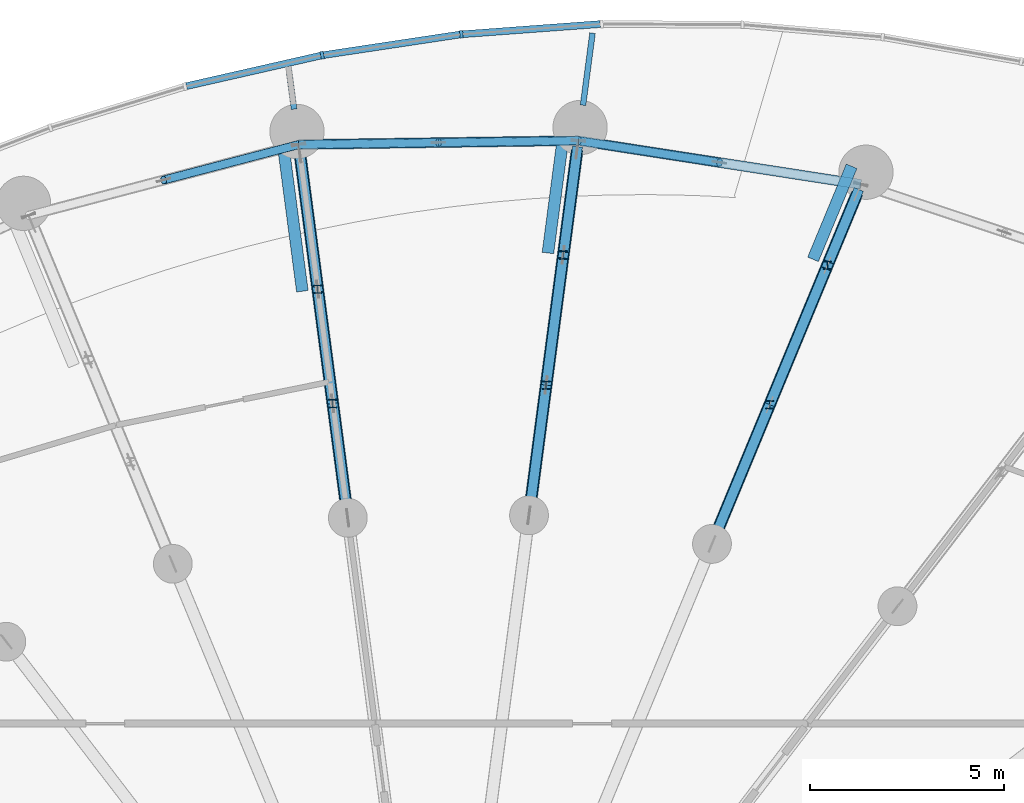
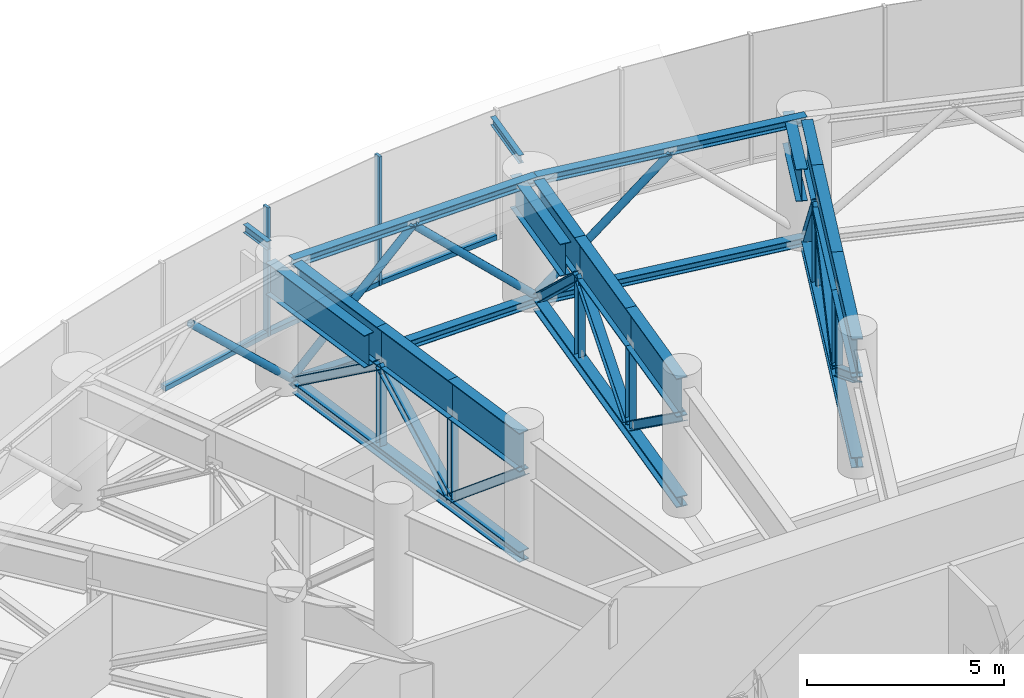
# One storey, part 14 of 42: 31 members, 14 beams, 2 elements without a shape of their own.
"""IFC4 building model written with IfcOpenShell, lengths in metres."""

from ifc_helpers import new_model, si_unit, direction, frame, origin, origin_2d, place, context, subcontext, project, spatial, rectangle, hollow_circle, i_section, extrude, source, transform, mapped, material, layer, layer_set, material_profile, profile_set, type_object, element, aggregate, save


model = new_model("IFC4")

# Units and contexts
model_context = context("Model", 3, precision=1e-05, world=origin(), true_north=direction((0.0, 1.0)))
body_context = subcontext(model_context, "Body", "Model", "MODEL_VIEW")
ifc_project = project(units=[si_unit("LENGTHUNIT", "METRE"), si_unit("AREAUNIT", "SQUARE_METRE"), si_unit("VOLUMEUNIT", "CUBIC_METRE"), si_unit("PLANEANGLEUNIT", "RADIAN"), si_unit("MASSUNIT", "GRAM", prefix="KILO")], contexts=[model_context])

# Site, building, storey
site_placement = place(None, origin())
site = spatial("IfcSite", under=ifc_project, at=site_placement, CompositionType="ELEMENT")
building_placement = place(site_placement, origin())
building = spatial("IfcBuilding", under=site, at=building_placement, Name="Spindrift Exchange Tower", CompositionType="ELEMENT")
storey_placement = place(building_placement, frame((0.0, 0.0, 75.39990234375)))
storey = spatial("IfcBuildingStorey", under=building, at=storey_placement, Name="L17", CompositionType="ELEMENT", Elevation=75.39990234375)

# Beams
ifc_material_1 = material(Name="Steel Grade 300", Category="steel")
ifc_material_profile_1 = material_profile(ifc_material_1, i_section(OverallWidth=0.14599609375, OverallDepth=0.251953125, WebThickness=0.006103515625, FlangeThickness=0.008544921875, FilletRadius=0.011962890625, at=origin_2d()), Name="250UB31.4")
ifc_profile_set_1 = profile_set([ifc_material_profile_1], Name="Steel Grade 300")
beam_type_1 = type_object("IfcBeamType", Name="Cantilever Beam 250UB31.4 Steel Grade 300", PredefinedType="BEAM", material=ifc_profile_set_1)
shared_shape_1 = source(origin(), body_context, "Body", "SweptSolid", [
    extrude(i_section(OverallWidth=0.14599609375, OverallDepth=0.251953125, WebThickness=0.006103515625, FlangeThickness=0.008544921875, FilletRadius=0.011962890625, at=origin_2d()), origin(), (0.0, 0.0, 1.0), 1.876220703125),
])
beam_1_placement = place(storey_placement, frame((55.730712890625, 76.33642578125, 3.8740234375), z_axis=(0.130518469058, 0.991445878117, 0.0), x_axis=(-0.991445878117, 0.130518469058, 0.0)))
element("IfcBeam", 1, at=beam_1_placement, inside=storey, type_object=beam_type_1, Name="L17 cantilever beam R06T", PredefinedType="BEAM", context=body_context, shape_type="MappedRepresentation", body=[
    mapped(shared_shape_1, transform((0.0, 0.0, 0.0), scale=1.0)),
])
shared_shape_2 = source(origin(), body_context, "Body", "SweptSolid", [
    extrude(i_section(OverallWidth=0.14599609375, OverallDepth=0.251953125, WebThickness=0.006103515625, FlangeThickness=0.008544921875, FilletRadius=0.011962890625, at=origin_2d()), origin(), (0.0, 0.0, 1.0), 0.993408203125),
])
beam_2_placement = place(storey_placement, frame((48.28271484375, 76.236328125, 3.8740234375), z_axis=(-0.130505373489, 0.991447601989, 0.0), x_axis=(-0.991447601989, -0.130505373489, 0.0)))
element("IfcBeam", 2, at=beam_2_placement, inside=storey, type_object=beam_type_1, Name="L17 cantilever beam R07T", PredefinedType="BEAM", context=body_context, shape_type="MappedRepresentation", body=[
    mapped(shared_shape_2, transform((0.0, 0.0, 0.0), scale=1.0)),
])

# Members
ifc_material_profile_2 = material_profile(ifc_material_1, i_section(OverallWidth=0.205078125, OverallDepth=0.2099609375, WebThickness=0.00927734375, FlangeThickness=0.01416015625, FilletRadius=0.012939453125, at=origin_2d()), Name="200UC59.5")
ifc_profile_set_2 = profile_set([ifc_material_profile_2], Name="Steel Grade 300")
member_type_1 = type_object("IfcMemberType", Name="Outrigger Truss Post 200UC59.5 Steel Grade 300", PredefinedType="POST", material=ifc_profile_set_2)
shared_shape_3 = source(origin(), body_context, "Body", "SweptSolid", [
    extrude(i_section(OverallWidth=0.205078125, OverallDepth=0.2099609375, WebThickness=0.00927734375, FlangeThickness=0.01416015625, FilletRadius=0.012939453125, at=origin_2d()), origin(), (0.0, 0.0, 1.0), 2.472900390625),
])
for number, where, z_axis, x_axis, name in (
    (3, (60.541748046875, 68.62158203125, 0.3271484375), (0.0, 0.0, 1.0), (1.0, 0.0, 0.0), "L17 outrigger truss 05 post 2"),
    (4, (62.029052734375, 72.212158203125, 0.3271484375), (0.0, 0.0, 1.0), (1.0, 0.0, 0.0), "L17 outrigger truss 05 post 3"),
    (5, (54.78076171875, 69.1220703125, 0.3271484375), (0.0, 0.0, 1.0), (1.0, 0.0, 0.0), "L17 outrigger truss 06 post 2"),
    (6, (55.222412109375, 72.476806640625, 0.3271484375), (0.0, 0.0, 1.0), (1.0, 0.0, 0.0), "L17 outrigger truss 06 post 3"),
    (7, (49.281494140625, 68.6494140625, 0.3271484375), (0.0, 0.0, 1.0), (1.0, 0.0, 0.0), "L17 outrigger truss 07 post 2"),
    (8, (48.8935546875, 71.595458984375, 0.3271484375), (0.0, 0.0, 1.0), (1.0, 0.0, 0.0), "L17 outrigger truss 07 post 3"),
):
    element("IfcMember", number, at=place(storey_placement, frame(where, z_axis=z_axis, x_axis=x_axis)), inside=storey, type_object=member_type_1, Name=name, PredefinedType="POST", context=body_context, shape_type="MappedRepresentation", body=[
        mapped(shared_shape_3, transform((0.0, 0.0, 0.0), scale=1.0)),
    ])

# Beam
ifc_material_profile_3 = material_profile(ifc_material_1, i_section(OverallWidth=0.300048828125, OverallDepth=1.199951171875, WebThickness=0.011962890625, FlangeThickness=0.028076171875, at=origin_2d()), Name="1200WB249")
ifc_profile_set_3 = profile_set([ifc_material_profile_3], Name="Steel Grade 300")
beam_type_2 = type_object("IfcBeamType", Name="Outrigger Truss Transfer Girder 1200WB249 Steel Grade 300", PredefinedType="BEAM", material=ifc_profile_set_3)
shared_shape_4 = source(origin(), body_context, "Body", "SweptSolid", [
    extrude(i_section(OverallWidth=0.300048828125, OverallDepth=1.199951171875, WebThickness=0.011962890625, FlangeThickness=0.028076171875, at=origin_2d()), origin(), (0.0, 0.0, 1.0), 3.885986328125),
])
beam_3_placement = place(storey_placement, frame((59.0546875, 65.03125, 3.400146484375), z_axis=(0.382660661083, 0.923888964356, 0.0), x_axis=(-0.923888964356, 0.382660661083, 0.0)))
element("IfcBeam", 9, at=beam_3_placement, inside=storey, type_object=beam_type_2, Name="L17 outrigger truss 05 top chord 2", PredefinedType="BEAM", context=body_context, shape_type="MappedRepresentation", body=[
    mapped(shared_shape_4, transform((0.0, 0.0, 0.0), scale=1.0)),
])

# Members
ifc_material_profile_4 = material_profile(ifc_material_1, i_section(OverallWidth=0.31103515625, OverallDepth=0.326904296875, WebThickness=0.015625, FlangeThickness=0.02490234375, FilletRadius=0.0166015625, at=origin_2d()), Name="310UC158")
ifc_profile_set_4 = profile_set([ifc_material_profile_4], Name="Steel Grade 300")
member_type_2 = type_object("IfcMemberType", Name="Outrigger Truss Chord 310UC158 Steel Grade 300", PredefinedType="CHORD", material=ifc_profile_set_4)
shared_shape_5 = source(origin(), body_context, "Body", "SweptSolid", [
    extrude(i_section(OverallWidth=0.31103515625, OverallDepth=0.326904296875, WebThickness=0.015625, FlangeThickness=0.02490234375, FilletRadius=0.0166015625, at=origin_2d()), origin(), (0.0, 0.0, 1.0), 9.789306640625),
])
member_1_placement = place(storey_placement, frame((59.0546875, 65.03125, 0.16357421875), z_axis=(0.382671907056, 0.923884306366, 0.0), x_axis=(-0.923884306366, 0.382671907056, 0.0)))
element("IfcMember", 10, at=member_1_placement, inside=storey, type_object=member_type_2, Name="L17 outrigger truss 05 bottom chord 2", PredefinedType="CHORD", context=body_context, shape_type="MappedRepresentation", body=[
    mapped(shared_shape_5, transform((0.0, 0.0, 0.0), scale=1.0)),
])
ifc_material_profile_5 = material_profile(ifc_material_1, i_section(OverallWidth=0.256103515625, OverallDepth=0.260009765625, WebThickness=0.010498046875, FlangeThickness=0.017333984375, FilletRadius=0.011962890625, at=origin_2d()), Name="250UC89.5")
ifc_profile_set_5 = profile_set([ifc_material_profile_5], Name="Steel Grade 300")
member_type_3 = type_object("IfcMemberType", Name="Outrigger Truss Diagonal 250UC89.5 Steel Grade 300", PredefinedType="BRACE", material=ifc_profile_set_5)
shared_shape_6 = source(origin(), body_context, "Body", "SweptSolid", [
    extrude(i_section(OverallWidth=0.256103515625, OverallDepth=0.260009765625, WebThickness=0.010498046875, FlangeThickness=0.017333984375, FilletRadius=0.011962890625, at=origin_2d()), origin(), (0.0, 0.0, 1.0), 4.606201171875),
])
member_2_placement = place(storey_placement, frame((59.0546875, 65.03125, 2.800048828125), z_axis=(0.322838969201, 0.77945655575, -0.536863555909), x_axis=(-0.923888964356, 0.382660661083, 0.0)))
element("IfcMember", 11, at=member_2_placement, inside=storey, type_object=member_type_3, Name="L17 outrigger truss 05 diagonal 2", PredefinedType="BRACE", context=body_context, shape_type="MappedRepresentation", body=[
    mapped(shared_shape_6, transform((0.0, 0.0, 0.0), scale=1.0)),
])

# Beam
shared_shape_7 = source(origin(), body_context, "Body", "SweptSolid", [
    extrude(i_section(OverallWidth=0.300048828125, OverallDepth=1.199951171875, WebThickness=0.011962890625, FlangeThickness=0.028076171875, at=origin_2d()), origin(), (0.0, 0.0, 1.0), 3.886474609375),
])
beam_4_placement = place(storey_placement, frame((60.541748046875, 68.62158203125, 3.400146484375), z_axis=(0.382692072447, 0.923875953625, 0.0), x_axis=(-0.923875953625, 0.382692072447, 0.0)))
element("IfcBeam", 12, at=beam_4_placement, inside=storey, type_object=beam_type_2, Name="L17 outrigger truss 05 top chord 3", PredefinedType="BEAM", context=body_context, shape_type="MappedRepresentation", body=[
    mapped(shared_shape_7, transform((0.0, 0.0, 0.0), scale=1.0)),
])

# Member
shared_shape_8 = source(origin(), body_context, "Body", "SweptSolid", [
    extrude(i_section(OverallWidth=0.256103515625, OverallDepth=0.260009765625, WebThickness=0.010498046875, FlangeThickness=0.017333984375, FilletRadius=0.011962890625, at=origin_2d()), origin(), (0.0, 0.0, 1.0), 4.6064453125),
])
member_3_placement = place(storey_placement, frame((60.541748046875, 68.62158203125, 0.3271484375), z_axis=(0.32287310775, 0.779464017676, 0.536832191136), x_axis=(-0.923875953625, 0.382692072447, 0.0)))
element("IfcMember", 13, at=member_3_placement, inside=storey, type_object=member_type_3, Name="L17 outrigger truss 05 diagonal 3", PredefinedType="BRACE", context=body_context, shape_type="MappedRepresentation", body=[
    mapped(shared_shape_8, transform((0.0, 0.0, 0.0), scale=1.0)),
])

# Beam
shared_shape_9 = source(origin(), body_context, "Body", "SweptSolid", [
    extrude(i_section(OverallWidth=0.300048828125, OverallDepth=1.199951171875, WebThickness=0.011962890625, FlangeThickness=0.028076171875, at=origin_2d()), origin(), (0.0, 0.0, 1.0), 2.016845703125),
])
beam_5_placement = place(storey_placement, frame((62.029052734375, 72.212158203125, 3.400146484375), z_axis=(0.382654716814, 0.923891426359, 0.0), x_axis=(-0.923891426359, 0.382654716814, 0.0)))
element("IfcBeam", 14, at=beam_5_placement, inside=storey, type_object=beam_type_2, Name="L17 outrigger truss 05 top chord 4", PredefinedType="BEAM", context=body_context, shape_type="MappedRepresentation", body=[
    mapped(shared_shape_9, transform((0.0, 0.0, 0.0), scale=1.0)),
])

# Member
shared_shape_10 = source(origin(), body_context, "Body", "SweptSolid", [
    extrude(i_section(OverallWidth=0.256103515625, OverallDepth=0.260009765625, WebThickness=0.010498046875, FlangeThickness=0.017333984375, FilletRadius=0.011962890625, at=origin_2d()), origin(), (0.0, 0.0, 1.0), 3.19091796875),
])
member_4_placement = place(storey_placement, frame((62.029052734375, 72.212158203125, 2.800048828125), z_axis=(0.241843721155, 0.58391372346, -0.774955726537), x_axis=(-0.923891426359, 0.382654716814, 0.0)))
element("IfcMember", 15, at=member_4_placement, inside=storey, type_object=member_type_3, Name="L17 outrigger truss 05 diagonal 4", PredefinedType="BRACE", context=body_context, shape_type="MappedRepresentation", body=[
    mapped(shared_shape_10, transform((0.0, 0.0, 0.0), scale=1.0)),
])

# Beams
shared_shape_11 = source(origin(), body_context, "Body", "SweptSolid", [
    extrude(i_section(OverallWidth=0.300048828125, OverallDepth=1.199951171875, WebThickness=0.011962890625, FlangeThickness=0.028076171875, at=origin_2d()), origin(), (0.0, 0.0, 1.0), 3.3837890625),
])
for number, where, z_axis, x_axis, name in (
    (16, (54.339111328125, 65.767333984375, 3.400146484375), (0.13052357024, 0.991445206561, 0.0), (-0.991445206561, 0.13052357024, 0.0), "L17 outrigger truss 06 top chord 2"),
    (17, (54.78076171875, 69.1220703125, 3.400146484375), (0.13052357024, 0.991445206561, 0.0), (-0.991445206561, 0.13052357024, 0.0), "L17 outrigger truss 06 top chord 3"),
):
    element("IfcBeam", number, at=place(storey_placement, frame(where, z_axis=z_axis, x_axis=x_axis)), inside=storey, type_object=beam_type_2, Name=name, PredefinedType="BEAM", context=body_context, shape_type="MappedRepresentation", body=[
        mapped(shared_shape_11, transform((0.0, 0.0, 0.0), scale=1.0)),
    ])

# Members
shared_shape_12 = source(origin(), body_context, "Body", "SweptSolid", [
    extrude(i_section(OverallWidth=0.31103515625, OverallDepth=0.326904296875, WebThickness=0.015625, FlangeThickness=0.02490234375, FilletRadius=0.0166015625, at=origin_2d()), origin(), (0.0, 0.0, 1.0), 9.500244140625),
])
member_5_placement = place(storey_placement, frame((54.339111328125, 65.767333984375, 0.16357421875), z_axis=(0.130522318331, 0.991445371373, 0.0), x_axis=(-0.991445371373, 0.130522318331, 0.0)))
element("IfcMember", 18, at=member_5_placement, inside=storey, type_object=member_type_2, Name="L17 outrigger truss 06 bottom chord 2", PredefinedType="CHORD", context=body_context, shape_type="MappedRepresentation", body=[
    mapped(shared_shape_12, transform((0.0, 0.0, 0.0), scale=1.0)),
])
shared_shape_13 = source(origin(), body_context, "Body", "SweptSolid", [
    extrude(i_section(OverallWidth=0.256103515625, OverallDepth=0.260009765625, WebThickness=0.010498046875, FlangeThickness=0.017333984375, FilletRadius=0.011962890625, at=origin_2d()), origin(), (0.0, 0.0, 1.0), 4.19091796875),
])
for number, where, z_axis, x_axis, name in (
    (19, (54.339111328125, 65.767333984375, 2.800048828125), (0.105380471924, 0.800460511167, -0.590049087957), (-0.991445206561, 0.13052357024, 0.0), "L17 outrigger truss 06 diagonal 2"),
    (20, (54.78076171875, 69.1220703125, 0.3271484375), (0.105380471924, 0.800460511167, 0.590049087957), (-0.991445206561, 0.13052357024, 0.0), "L17 outrigger truss 06 diagonal 3"),
):
    element("IfcMember", number, at=place(storey_placement, frame(where, z_axis=z_axis, x_axis=x_axis)), inside=storey, type_object=member_type_3, Name=name, PredefinedType="BRACE", context=body_context, shape_type="MappedRepresentation", body=[
        mapped(shared_shape_13, transform((0.0, 0.0, 0.0), scale=1.0)),
    ])

# Beam
shared_shape_14 = source(origin(), body_context, "Body", "SweptSolid", [
    extrude(i_section(OverallWidth=0.300048828125, OverallDepth=1.199951171875, WebThickness=0.011962890625, FlangeThickness=0.028076171875, at=origin_2d()), origin(), (0.0, 0.0, 1.0), 2.73291015625),
])
beam_6_placement = place(storey_placement, frame((55.222412109375, 72.476806640625, 3.400146484375), z_axis=(0.130519218223, 0.991445779493, 0.0), x_axis=(-0.991445779493, 0.130519218223, 0.0)))
element("IfcBeam", 21, at=beam_6_placement, inside=storey, type_object=beam_type_2, Name="L17 outrigger truss 06 top chord 4", PredefinedType="BEAM", context=body_context, shape_type="MappedRepresentation", body=[
    mapped(shared_shape_14, transform((0.0, 0.0, 0.0), scale=1.0)),
])

# Member
shared_shape_15 = source(origin(), body_context, "Body", "SweptSolid", [
    extrude(i_section(OverallWidth=0.256103515625, OverallDepth=0.260009765625, WebThickness=0.010498046875, FlangeThickness=0.017333984375, FilletRadius=0.011962890625, at=origin_2d()), origin(), (0.0, 0.0, 1.0), 3.685546875),
])
member_6_placement = place(storey_placement, frame((55.222412109375, 72.476806640625, 2.800048828125), z_axis=(0.096779000996, 0.735149454522, -0.670961328604), x_axis=(-0.991445779493, 0.130519218223, 0.0)))
element("IfcMember", 22, at=member_6_placement, inside=storey, type_object=member_type_3, Name="L17 outrigger truss 06 diagonal 4", PredefinedType="BRACE", context=body_context, shape_type="MappedRepresentation", body=[
    mapped(shared_shape_15, transform((0.0, 0.0, 0.0), scale=1.0)),
])

# Beam
shared_shape_16 = source(origin(), body_context, "Body", "SweptSolid", [
    extrude(i_section(OverallWidth=0.300048828125, OverallDepth=1.199951171875, WebThickness=0.011962890625, FlangeThickness=0.028076171875, at=origin_2d()), origin(), (0.0, 0.0, 1.0), 2.9716796875),
])
beam_7_placement = place(storey_placement, frame((49.669189453125, 65.703125, 3.400146484375), z_axis=(-0.130463013345, 0.991453176983, 0.0), x_axis=(-0.991453176983, -0.130463013345, 0.0)))
element("IfcBeam", 23, at=beam_7_placement, inside=storey, type_object=beam_type_2, Name="L17 outrigger truss 07 top chord 2", PredefinedType="BEAM", context=body_context, shape_type="MappedRepresentation", body=[
    mapped(shared_shape_16, transform((0.0, 0.0, 0.0), scale=1.0)),
])

# Members
shared_shape_17 = source(origin(), body_context, "Body", "SweptSolid", [
    extrude(i_section(OverallWidth=0.31103515625, OverallDepth=0.326904296875, WebThickness=0.015625, FlangeThickness=0.02490234375, FilletRadius=0.0166015625, at=origin_2d()), origin(), (0.0, 0.0, 1.0), 9.464111328125),
])
member_7_placement = place(storey_placement, frame((49.669189453125, 65.703125, 0.16357421875), z_axis=(-0.130505895221, 0.991447533313, 0.0), x_axis=(-0.991447533313, -0.130505895221, 0.0)))
element("IfcMember", 24, at=member_7_placement, inside=storey, type_object=member_type_2, Name="L17 outrigger truss 07 bottom chord 2", PredefinedType="CHORD", context=body_context, shape_type="MappedRepresentation", body=[
    mapped(shared_shape_17, transform((0.0, 0.0, 0.0), scale=1.0)),
])
shared_shape_18 = source(origin(), body_context, "Body", "SweptSolid", [
    extrude(i_section(OverallWidth=0.256103515625, OverallDepth=0.260009765625, WebThickness=0.010498046875, FlangeThickness=0.017333984375, FilletRadius=0.011962890625, at=origin_2d()), origin(), (0.0, 0.0, 1.0), 3.865966796875),
])
for number, where, z_axis, x_axis, name in (
    (25, (49.669189453125, 65.703125, 2.800048828125), (-0.100282624077, 0.762097422772, -0.63964905496), (-0.991453176983, -0.130463013345, 0.0), "L17 outrigger truss 07 diagonal 2"),
    (26, (49.281494140625, 68.6494140625, 0.3271484375), (-0.100349968036, 0.762066119757, 0.639675787438), (-0.99144114693, -0.130554403122, 0.0), "L17 outrigger truss 07 diagonal 3"),
):
    element("IfcMember", number, at=place(storey_placement, frame(where, z_axis=z_axis, x_axis=x_axis)), inside=storey, type_object=member_type_3, Name=name, PredefinedType="BRACE", context=body_context, shape_type="MappedRepresentation", body=[
        mapped(shared_shape_18, transform((0.0, 0.0, 0.0), scale=1.0)),
    ])

# Beams
shared_shape_19 = source(origin(), body_context, "Body", "SweptSolid", [
    extrude(i_section(OverallWidth=0.300048828125, OverallDepth=1.199951171875, WebThickness=0.011962890625, FlangeThickness=0.028076171875, at=origin_2d()), origin(), (0.0, 0.0, 1.0), 2.971435546875),
])
beam_8_placement = place(storey_placement, frame((49.281494140625, 68.6494140625, 3.400146484375), z_axis=(-0.130554403122, 0.99144114693, 0.0), x_axis=(-0.99144114693, -0.130554403122, 0.0)))
element("IfcBeam", 27, at=beam_8_placement, inside=storey, type_object=beam_type_2, Name="L17 outrigger truss 07 top chord 3", PredefinedType="BEAM", context=body_context, shape_type="MappedRepresentation", body=[
    mapped(shared_shape_19, transform((0.0, 0.0, 0.0), scale=1.0)),
])
shared_shape_20 = source(origin(), body_context, "Body", "SweptSolid", [
    extrude(i_section(OverallWidth=0.300048828125, OverallDepth=1.199951171875, WebThickness=0.011962890625, FlangeThickness=0.028076171875, at=origin_2d()), origin(), (0.0, 0.0, 1.0), 3.520751953125),
])
beam_9_placement = place(storey_placement, frame((48.8935546875, 71.595458984375, 3.400146484375), z_axis=(-0.130501149348, 0.991448158009, 0.0), x_axis=(-0.991448158009, -0.130501149348, 0.0)))
element("IfcBeam", 28, at=beam_9_placement, inside=storey, type_object=beam_type_2, Name="L17 outrigger truss 07 top chord 4", PredefinedType="BEAM", context=body_context, shape_type="MappedRepresentation", body=[
    mapped(shared_shape_20, transform((0.0, 0.0, 0.0), scale=1.0)),
])

# Members
shared_shape_21 = source(origin(), body_context, "Body", "SweptSolid", [
    extrude(i_section(OverallWidth=0.256103515625, OverallDepth=0.260009765625, WebThickness=0.010498046875, FlangeThickness=0.017333984375, FilletRadius=0.011962890625, at=origin_2d()), origin(), (0.0, 0.0, 1.0), 4.302490234375),
])
member_8_placement = place(storey_placement, frame((48.8935546875, 71.595458984375, 2.800048828125), z_axis=(-0.106792046923, 0.811324488259, -0.574759109076), x_axis=(-0.991448158009, -0.130501149348, 0.0)))
element("IfcMember", 29, at=member_8_placement, inside=storey, type_object=member_type_3, Name="L17 outrigger truss 07 diagonal 4", PredefinedType="BRACE", context=body_context, shape_type="MappedRepresentation", body=[
    mapped(shared_shape_21, transform((0.0, 0.0, 0.0), scale=1.0)),
])
ifc_material_profile_6 = material_profile(ifc_material_1, i_section(OverallWidth=0.256103515625, OverallDepth=0.260009765625, WebThickness=0.010498046875, FlangeThickness=0.017333984375, FilletRadius=0.011962890625, at=origin_2d()), Name="250UC89.5")
ifc_profile_set_6 = profile_set([ifc_material_profile_6], Name="Steel Grade 300")
member_type_4 = type_object("IfcMemberType", Name="Belt Truss Chord 250UC89.5 Steel Grade 300", PredefinedType="CHORD", material=ifc_profile_set_6)
shared_shape_22 = source(origin(), body_context, "Body", "SweptSolid", [
    extrude(i_section(OverallWidth=0.256103515625, OverallDepth=0.260009765625, WebThickness=0.010498046875, FlangeThickness=0.017333984375, FilletRadius=0.011962890625, at=origin_2d()), origin(), (0.0, 0.0, 1.0), 7.36865234375),
])
for number, where, z_axis, x_axis, name in (
    (30, (62.892578125, 74.29736328125, 3.8701171875), (-0.98823571142, 0.152938480032, 0.0), (-0.152938480032, -0.98823571142, 0.0), "L17 belt truss 05 top chord"),
    (31, (62.892578125, 74.29736328125, 0.130126953125), (-0.98823571142, 0.152938480032, 0.0), (-0.152938480032, -0.98823571142, 0.0), "L17 belt truss 05 bottom chord"),
):
    element("IfcMember", number, at=place(storey_placement, frame(where, z_axis=z_axis, x_axis=x_axis)), inside=storey, type_object=member_type_4, Name=name, PredefinedType="CHORD", context=body_context, shape_type="MappedRepresentation", body=[
        mapped(shared_shape_22, transform((0.0, 0.0, 0.0), scale=1.0)),
    ])
ifc_material_2 = material(Name="Steel Grade 350", Category="steel")
ifc_material_profile_7 = material_profile(ifc_material_2, hollow_circle(Radius=0.109619140625, WallThickness=0.00830078125, at=origin_2d()), Name="219.1x8.2CHS")
ifc_profile_set_7 = profile_set([ifc_material_profile_7], Name="Steel Grade 350")
member_type_5 = type_object("IfcMemberType", Name="Belt Truss Diagonal 219.1x8.2CHS Steel Grade 350", PredefinedType="BRACE", material=ifc_profile_set_7)
shared_shape_23 = source(origin(), body_context, "Body", "SweptSolid", [
    extrude(hollow_circle(Radius=0.109619140625, WallThickness=0.00830078125, at=origin_2d()), origin(), (0.0, 0.0, 1.0), 5.068115234375),
])
member_9_placement = place(storey_placement, frame((59.251708984375, 74.86083984375, 3.739990234375), z_axis=(-0.718439799585, 0.111181377058, -0.686646164897), x_axis=(-0.15293347261, -0.988236486351, 0.0)))
element("IfcMember", 32, at=member_9_placement, inside=storey, type_object=member_type_5, Name="L17 belt truss 05 diagonal 2", PredefinedType="BRACE", context=body_context, shape_type="MappedRepresentation", body=[
    mapped(shared_shape_23, transform((0.0, 0.0, 0.0), scale=1.0)),
])
shared_shape_24 = source(origin(), body_context, "Body", "SweptSolid", [
    extrude(i_section(OverallWidth=0.256103515625, OverallDepth=0.260009765625, WebThickness=0.010498046875, FlangeThickness=0.017333984375, FilletRadius=0.011962890625, at=origin_2d()), origin(), (0.0, 0.0, 1.0), 7.208740234375),
])
for number, where, z_axis, x_axis, name in (
    (33, (55.610595703125, 75.42431640625, 3.8701171875), (-0.99990358946, -0.013885668327, 0.0), (0.013885668327, -0.99990358946, 0.0), "L17 belt truss 06 top chord"),
    (34, (55.610595703125, 75.42431640625, 0.130126953125), (-0.99990358946, -0.013885668327, 0.0), (0.013885668327, -0.99990358946, 0.0), "L17 belt truss 06 bottom chord"),
):
    element("IfcMember", number, at=place(storey_placement, frame(where, z_axis=z_axis, x_axis=x_axis)), inside=storey, type_object=member_type_4, Name=name, PredefinedType="CHORD", context=body_context, shape_type="MappedRepresentation", body=[
        mapped(shared_shape_24, transform((0.0, 0.0, 0.0), scale=1.0)),
    ])
shared_shape_25 = source(origin(), body_context, "Body", "SweptSolid", [
    extrude(hollow_circle(Radius=0.109619140625, WallThickness=0.00830078125, at=origin_2d()), origin(), (0.0, 0.0, 1.0), 5.01025390625),
])
for number, where, z_axis, x_axis, name in (
    (35, (55.610595703125, 75.42431640625, 0.260009765625), (-0.719340375536, -0.00998948496, 0.694585944512), (0.013885668327, -0.99990358946, 0.0), "L17 belt truss 06 diagonal 1"),
    (36, (52.006591796875, 75.374267578125, 3.739990234375), (-0.719340375536, -0.00998948496, -0.694585944512), (0.013885668327, -0.99990358946, 0.0), "L17 belt truss 06 diagonal 2"),
):
    element("IfcMember", number, at=place(storey_placement, frame(where, z_axis=z_axis, x_axis=x_axis)), inside=storey, type_object=member_type_5, Name=name, PredefinedType="BRACE", context=body_context, shape_type="MappedRepresentation", body=[
        mapped(shared_shape_25, transform((0.0, 0.0, 0.0), scale=1.0)),
    ])
shared_shape_26 = source(origin(), body_context, "Body", "SweptSolid", [
    extrude(hollow_circle(Radius=0.109619140625, WallThickness=0.00830078125, at=origin_2d()), origin(), (0.0, 0.0, 1.0), 5.0068359375),
])
member_10_placement = place(storey_placement, frame((48.402587890625, 75.32421875, 0.260009765625), z_axis=(-0.695343731494, -0.182759348221, 0.695051160499), x_axis=(0.254199506277, -0.967151803498, 0.0)))
element("IfcMember", 37, at=member_10_placement, inside=storey, type_object=member_type_5, Name="L17 belt truss 07 diagonal 1", PredefinedType="BRACE", context=body_context, shape_type="MappedRepresentation", body=[
    mapped(shared_shape_26, transform((0.0, 0.0, 0.0), scale=1.0)),
])

# Beams
ifc_material_profile_8 = material_profile(ifc_material_1, i_section(OverallWidth=0.300048828125, OverallDepth=1.0, WebThickness=0.010009765625, FlangeThickness=0.02001953125, at=origin_2d()), Name="1000WB215")
ifc_profile_set_8 = profile_set([ifc_material_profile_8], Name="Steel Grade 300")
beam_type_3 = type_object("IfcBeamType", Name="Transfer Tie Beam 1000WB215 Steel Grade 300", PredefinedType="BEAM", material=ifc_profile_set_8)
shared_shape_27 = source(origin(), body_context, "Body", "SweptSolid", [
    extrude(i_section(OverallWidth=0.300048828125, OverallDepth=1.0, WebThickness=0.010009765625, FlangeThickness=0.02001953125, at=origin_2d()), origin(), (0.0, 0.0, 1.0), 2.596923828125),
])
beam_10_placement = place(storey_placement, frame((62.6533203125, 74.764404296875, 3.400146484375), z_axis=(-0.382725425884, -0.923862137108, 0.0), x_axis=(0.923862137108, -0.382725425884, 0.0)))
element("IfcBeam", 38, at=beam_10_placement, inside=storey, type_object=beam_type_3, Name="L17 transfer tie beam K05", PredefinedType="BEAM", context=body_context, shape_type="MappedRepresentation", body=[
    mapped(shared_shape_27, transform((0.0, 0.0, 0.0), scale=1.0)),
])
shared_shape_28 = source(origin(), body_context, "Body", "SweptSolid", [
    extrude(i_section(OverallWidth=0.300048828125, OverallDepth=1.0, WebThickness=0.010009765625, FlangeThickness=0.02001953125, at=origin_2d()), origin(), (0.0, 0.0, 1.0), 3.31298828125),
])
beam_11_placement = place(storey_placement, frame((55.25830078125, 75.813720703125, 3.400146484375), z_axis=(-0.130580322852, -0.991437733438, 0.0), x_axis=(0.991437733438, -0.130580322852, 0.0)))
element("IfcBeam", 39, at=beam_11_placement, inside=storey, type_object=beam_type_3, Name="L17 transfer tie beam K06", PredefinedType="BEAM", context=body_context, shape_type="MappedRepresentation", body=[
    mapped(shared_shape_28, transform((0.0, 0.0, 0.0), scale=1.0)),
])
shared_shape_29 = source(origin(), body_context, "Body", "SweptSolid", [
    extrude(i_section(OverallWidth=0.300048828125, OverallDepth=1.0, WebThickness=0.010009765625, FlangeThickness=0.02001953125, at=origin_2d()), origin(), (0.0, 0.0, 1.0), 4.10107421875),
])
beam_12_placement = place(storey_placement, frame((47.961669921875, 75.609130859375, 3.400146484375), z_axis=(0.130553069552, -0.991441322535, 0.0), x_axis=(0.991441322535, 0.130553069552, 0.0)))
element("IfcBeam", 40, at=beam_12_placement, inside=storey, type_object=beam_type_3, Name="L17 transfer tie beam K07", PredefinedType="BEAM", context=body_context, shape_type="MappedRepresentation", body=[
    mapped(shared_shape_29, transform((0.0, 0.0, 0.0), scale=1.0)),
])

# Curtain wall, member
ifc_material_3 = material(Name="Fritted laminated glass with bronze frame", Category="glass")
ifc_layer = layer(ifc_material_3, 0.199951171875)
ifc_layer_set = layer_set([ifc_layer], Name="ZONE 1 BRONZE FRITTED WALL")
curtain_wall_type = type_object("IfcCurtainWallType", Name="ZONE 1 BRONZE FRITTED WALL", PredefinedType="NOTDEFINED", material=ifc_layer_set)
curtain_wall_1_placement = place(storey_placement, origin())
curtain_wall_1 = element("IfcCurtainWall", 41, at=curtain_wall_1_placement, inside=storey, type_object=curtain_wall_type, Name="L17 Zone 1 Bronze Fritted Wall run 2", PredefinedType="NOTDEFINED")
ifc_material_4 = material(Name="Bronze anodised aluminium", Category="aluminium")
ifc_material_profile_9 = material_profile(ifc_material_4, rectangle(XDim=0.179931640625, YDim=0.14990234375, at=origin_2d()), Name="ZONE 1 BRONZE FRITTED WALL TRANSOM 180X150")
ifc_profile_set_9 = profile_set([ifc_material_profile_9], Name="Bronze anodised aluminium")
member_type_6 = type_object("IfcMemberType", Name="ZONE 1 BRONZE FRITTED WALL TRANSOM 180X150", PredefinedType="USERDEFINED", material=ifc_profile_set_9)
shared_shape_30 = source(origin(), body_context, "Body", "SweptSolid", [
    extrude(rectangle(XDim=0.179931640625, YDim=0.14990234375, at=origin_2d()), origin(), (0.0, 0.0, 1.0), 3.54736328125),
])
member_11_placement = place(storey_placement, frame((56.1728515625, 78.43017578125, 0.0751953125), z_axis=(-0.997285002851, -0.073638462014, 0.0), x_axis=(0.073638462014, -0.997285002851, 0.0)))
member_11 = element("IfcMember", 42, at=member_11_placement, type_object=member_type_6, Name="L17 transom CW-1.12", ObjectType="TRANSOM", PredefinedType="USERDEFINED", context=body_context, shape_type="MappedRepresentation", body=[
    mapped(shared_shape_30, transform((0.0, 0.0, 0.0), scale=1.0)),
])
aggregate(curtain_wall_1, [member_11])

# Curtain wall, members
curtain_wall_2_placement = place(storey_placement, origin())
curtain_wall_2 = element("IfcCurtainWall", 43, at=curtain_wall_2_placement, inside=storey, type_object=curtain_wall_type, Name="L17 Zone 1 Bronze Fritted Wall run 3", PredefinedType="NOTDEFINED")
member_12_placement = place(storey_placement, frame((52.5556640625, 78.16015625, 0.0751953125), z_axis=(-0.988827048251, -0.149067329239, 0.0), x_axis=(0.149067329239, -0.988827048251, 0.0)))
member_12 = element("IfcMember", 44, at=member_12_placement, type_object=member_type_6, Name="L17 transom CW-1.13", ObjectType="TRANSOM", PredefinedType="USERDEFINED", context=body_context, shape_type="MappedRepresentation", body=[
    mapped(shared_shape_30, transform((0.0, 0.0, 0.0), scale=1.0)),
])
shared_shape_31 = source(origin(), body_context, "Body", "SweptSolid", [
    extrude(rectangle(XDim=0.179931640625, YDim=0.14990234375, at=origin_2d()), origin(), (0.0, 0.0, 1.0), 3.547607421875),
])
member_13_placement = place(storey_placement, frame((48.969482421875, 77.61669921875, 0.0751953125), z_axis=(-0.975091601796, -0.221802543058, 0.0), x_axis=(0.221802543058, -0.975091601796, 0.0)))
member_13 = element("IfcMember", 45, at=member_13_placement, type_object=member_type_6, Name="L17 transom CW-1.14", ObjectType="TRANSOM", PredefinedType="USERDEFINED", context=body_context, shape_type="MappedRepresentation", body=[
    mapped(shared_shape_31, transform((0.0, 0.0, 0.0), scale=1.0)),
])
ifc_material_profile_10 = material_profile(ifc_material_4, rectangle(XDim=0.080078125, YDim=0.199951171875, at=origin_2d()), Name="ZONE 1 BRONZE FRITTED WALL MULLION 80X200")
ifc_profile_set_10 = profile_set([ifc_material_profile_10], Name="Bronze anodised aluminium")
member_type_7 = type_object("IfcMemberType", Name="ZONE 1 BRONZE FRITTED WALL MULLION 80X200", PredefinedType="MULLION", material=ifc_profile_set_10)
shared_shape_32 = source(origin(), body_context, "Body", "SweptSolid", [
    extrude(rectangle(XDim=0.080078125, YDim=0.199951171875, at=origin_2d()), origin(), (0.0, 0.0, 1.0), 4.0),
])
member_14_placement = place(storey_placement, frame((52.59521484375, 78.166015625, 0.0), z_axis=(0.0, 0.0, 1.0), x_axis=(-0.993776944849, -0.111388436954, 0.0)))
member_14 = element("IfcMember", 46, at=member_14_placement, type_object=member_type_7, Name="L17 mullion CW-1.13", PredefinedType="MULLION", context=body_context, shape_type="MappedRepresentation", body=[
    mapped(shared_shape_32, transform((0.0, 0.0, 0.0), scale=1.0)),
])
member_15_placement = place(storey_placement, frame((49.00830078125, 77.62548828125, 0.0), z_axis=(0.0, 0.0, 1.0), x_axis=(-0.982634946073, -0.185549353963, 0.0)))
member_15 = element("IfcMember", 47, at=member_15_placement, type_object=member_type_7, Name="L17 mullion CW-1.14", PredefinedType="MULLION", context=body_context, shape_type="MappedRepresentation", body=[
    mapped(shared_shape_32, transform((0.0, 0.0, 0.0), scale=1.0)),
])
aggregate(curtain_wall_2, [member_14, member_12, member_15, member_13])

save(model, "model.ifc")
